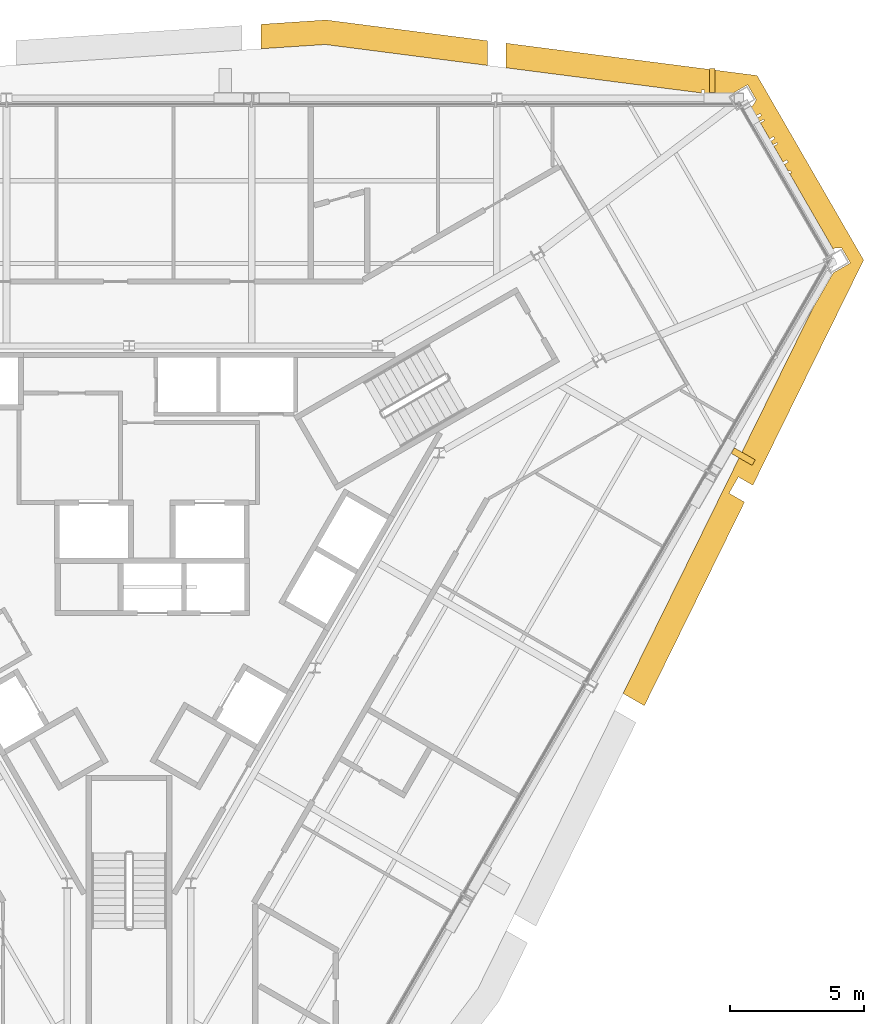
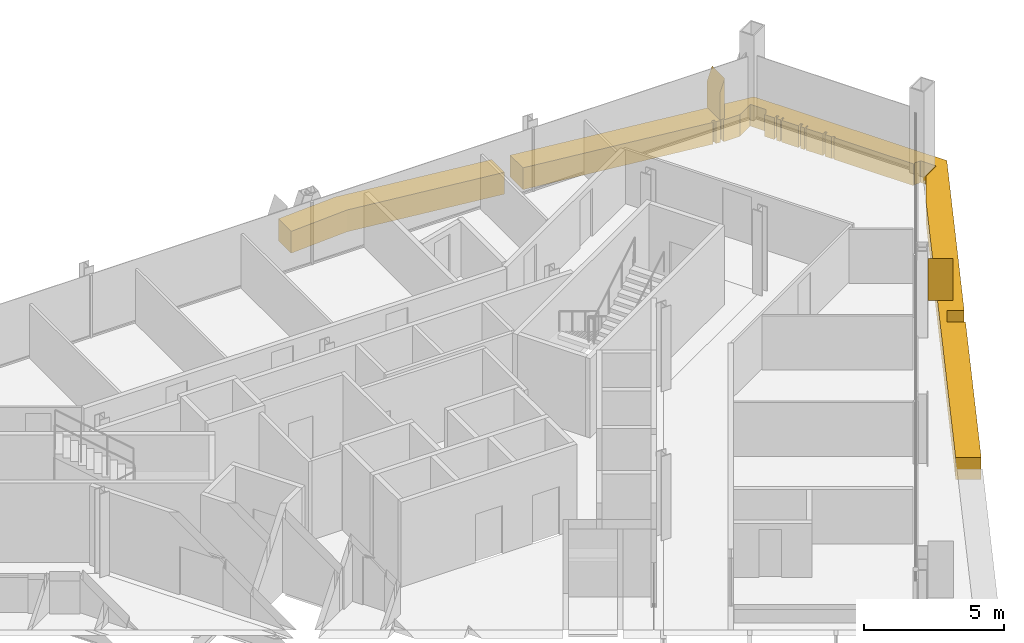
# One storey, part 15 of 15: 4 coverings.
"""IFC4 building model written with IfcOpenShell, lengths in metres."""

from ifc_helpers import new_model, si_unit, direction, frame, origin, place, context, subcontext, project, spatial, polyline, outline, extrude, material, layer, layer_set, type_object, element, save


model = new_model("IFC4")

# Units and contexts
model_context = context("Model", 3, precision=1e-05, world=origin(), true_north=direction((0.0, 1.0)))
body_context = subcontext(model_context, "Body", "Model", "MODEL_VIEW")
ifc_project = project(units=[si_unit("LENGTHUNIT", "METRE"), si_unit("AREAUNIT", "SQUARE_METRE"), si_unit("VOLUMEUNIT", "CUBIC_METRE"), si_unit("PLANEANGLEUNIT", "RADIAN"), si_unit("MASSUNIT", "GRAM", prefix="KILO")], contexts=[model_context])

# Site, building, storey
site_placement = place(None, origin())
site = spatial("IfcSite", under=ifc_project, at=site_placement, CompositionType="ELEMENT")
building_placement = place(site_placement, origin())
building = spatial("IfcBuilding", under=site, at=building_placement, Name="Verrane Prism Tower", CompositionType="ELEMENT")
storey_placement = place(building_placement, frame((0.0, 0.0, 254.5)))
storey = spatial("IfcBuildingStorey", under=building, at=storey_placement, Name="L64", CompositionType="ELEMENT", Elevation=254.5)

# Coverings
ifc_material_1 = material(Name="Warm limestone cladding", Category="masonry")
ifc_layer_1 = layer(ifc_material_1, 0.89990234375)
ifc_layer_set_1 = layer_set([ifc_layer_1], Name="Stone brace fin 900")
covering_type_1 = type_object("IfcCoveringType", Name="Stone brace fin 900", PredefinedType="CLADDING", material=ifc_layer_set_1)
covering_1_placement = place(storey_placement, frame((21.621826171875, 17.88330078125, 0.0), z_axis=(0.0, 0.0, 1.0), x_axis=(1.0, 0.0, 0.0)))
element("IfcCovering", 1, at=covering_1_placement, inside=storey, type_object=covering_type_1, Name="Stone brace fin N1 L64", PredefinedType="CLADDING", context=body_context, shape_type="SweptSolid", body=[
    extrude(outline(polyline([(0.0, 0.0), (0.202880859375, 0.0), (0.202880859375, 1.735595703125), (0.0, 1.15234375), (0.0, 0.0)])), frame((0.0, 0.449951171875, 0.0), z_axis=(0.0, -1.0, 0.0), x_axis=(1.0, 0.0, 0.0)), (0.0, 0.0, 1.0), 0.89990234375),
])
covering_2_placement = place(storey_placement, frame((22.945068359375, 3.97802734375, 0.0), z_axis=(0.0, 0.0, 1.0), x_axis=(-0.49898762075, -0.866609112771, 0.0)))
element("IfcCovering", 2, at=covering_2_placement, inside=storey, type_object=covering_type_1, Name="Stone brace fin SE5 L64", PredefinedType="CLADDING", context=body_context, shape_type="SweptSolid", body=[
    extrude(outline(polyline([(0.0, 0.0), (0.23974609375, 0.0), (0.23974609375, 1.842529296875), (0.0, 1.1533203125), (0.0, 0.0)])), frame((0.0, 0.449951171875, 0.0), z_axis=(0.0, -1.0, 0.0), x_axis=(1.0, 0.0, 0.0)), (0.0, 0.0, 1.0), 0.89990234375),
])
ifc_material_2 = material(Name="Warm limestone cladding", Category="masonry")
ifc_layer_2 = layer(ifc_material_2, 0.449951171875)
ifc_layer_set_2 = layer_set([ifc_layer_2], Name="Stone spandrel band 450")
covering_type_2 = type_object("IfcCoveringType", Name="Stone spandrel band 450", PredefinedType="CLADDING", material=ifc_layer_set_2)
covering_3_placement = place(storey_placement, frame((0.0, 0.0, -0.949951171875)))
element("IfcCovering", 3, at=covering_3_placement, inside=storey, type_object=covering_type_2, Name="Stone spandrel band L64 part 1", PredefinedType="CLADDING", context=body_context, shape_type="SweptSolid", body=[
    extrude(outline(polyline([(14.05224609375, 18.361328125), (21.3291015625, 17.42431640625), (21.3291015625, 17.530029296875), (21.4453125, 17.530029296875), (21.4453125, 17.4091796875), (21.621826171875, 17.386474609375), (21.621826171875, 17.530029296875), (21.732177734375, 17.530029296875), (21.732177734375, 17.372314453125), (21.8017578125, 17.36328125), (22.410888671875, 17.36328125), (23.04736328125, 17.730712890625), (23.37744140625, 17.1591796875), (23.3583984375, 17.148193359375), (23.24755859375, 16.958984375), (23.172607421875, 16.915771484375), (23.3701171875, 16.573486328125), (23.51611328125, 16.65771484375), (23.56103515625, 16.579833984375), (23.4150390625, 16.495849609375), (23.493896484375, 16.359130859375), (23.639892578125, 16.443359375), (23.6689453125, 16.392822265625), (23.523193359375, 16.30859375), (23.867919921875, 15.711181640625), (24.013671875, 15.795166015625), (24.059814453125, 15.715087890625), (23.914306640625, 15.631103515625), (23.994384765625, 15.492431640625), (24.139892578125, 15.576171875), (24.1689453125, 15.525634765625), (24.023681640625, 15.44189453125), (24.368408203125, 14.844482421875), (24.513671875, 14.927978515625), (24.559814453125, 14.84765625), (24.414794921875, 14.76416015625), (24.551513671875, 14.52734375), (24.67138671875, 14.502685546875), (24.656494140625, 14.430908203125), (24.6005859375, 14.4423828125), (26.237060546875, 11.60791015625), (26.3095703125, 11.64990234375), (26.5283203125, 11.64990234375), (26.54736328125, 11.660888671875), (26.87744140625, 11.089111328125), (26.239013671875, 10.720703125), (25.45068359375, 9.355224609375), (18.409912109375, -4.95068359375), (19.19970703125, -5.40673828125), (22.932373046875, 2.177978515625), (22.354248046875, 2.51171875), (22.704345703125, 3.117919921875), (23.2421875, 2.807373046875), (27.37109375, 11.19677734375), (23.39990234375, 18.07470703125), (14.05224609375, 19.27880859375), (14.05224609375, 18.361328125)])), origin(), (0.0, 0.0, 1.0), 0.949951171875),
])
covering_4_placement = place(storey_placement, frame((0.0, 0.0, -0.949951171875)))
element("IfcCovering", 4, at=covering_4_placement, inside=storey, type_object=covering_type_2, Name="Stone spandrel band L64 part 8", PredefinedType="CLADDING", context=body_context, shape_type="SweptSolid", body=[
    extrude(outline(polyline([(4.91748046875, 19.983154296875), (4.91748046875, 19.0712890625), (7.307861328125, 19.22998046875), (13.352294921875, 18.451416015625), (13.352294921875, 19.368896484375), (7.336181640625, 20.143798828125), (4.91748046875, 19.983154296875)])), origin(), (0.0, 0.0, 1.0), 0.949951171875),
])

save(model, "model.ifc")
